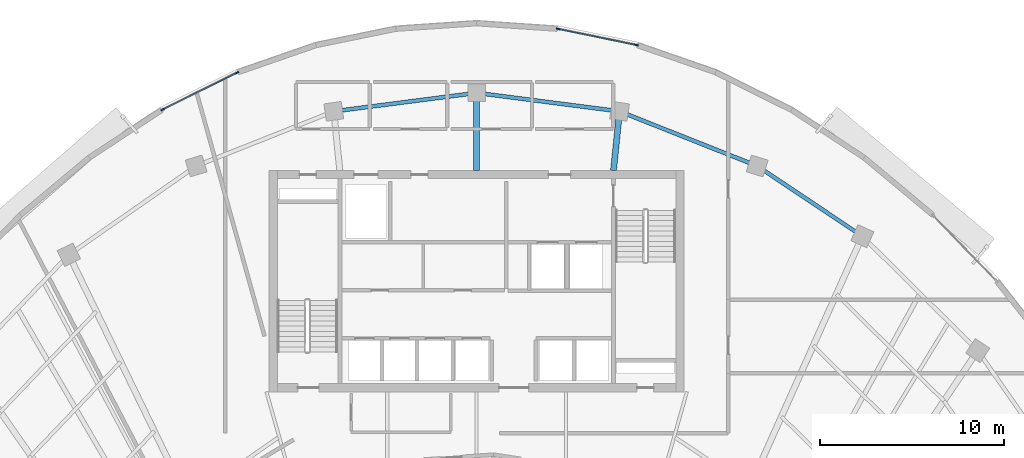
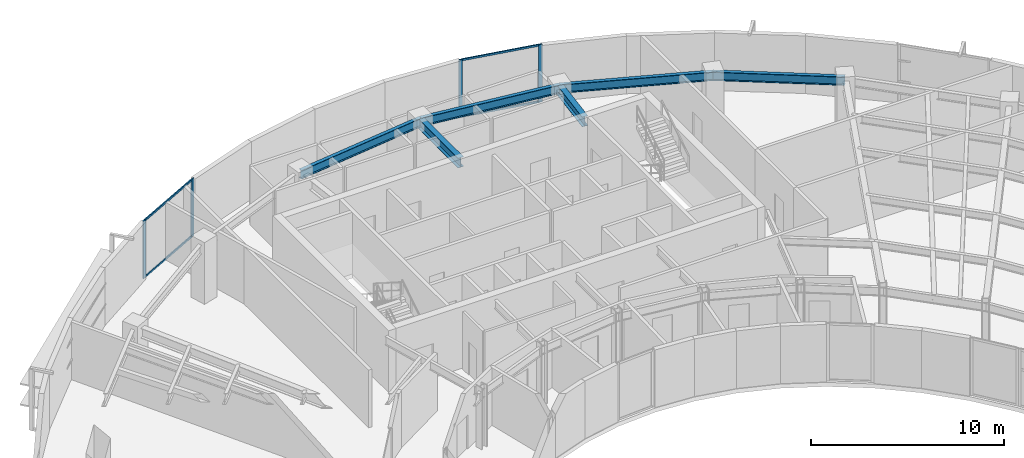
# One storey, part 5 of 14: 8 members, 6 beams, 2 elements without a shape of their own.
"""IFC4 building model written with IfcOpenShell, lengths in metres."""

from ifc_helpers import new_model, si_unit, direction, frame, origin, origin_2d, place, context, subcontext, project, spatial, rectangle, i_section, extrude, source, transform, mapped, material, layer, layer_set, material_profile, profile_set, type_object, element, aggregate, save


model = new_model("IFC4")

# Units and contexts
model_context = context("Model", 3, precision=1e-05, world=origin(), true_north=direction((0.0, 1.0)))
body_context = subcontext(model_context, "Body", "Model", "MODEL_VIEW")
ifc_project = project(units=[si_unit("LENGTHUNIT", "METRE"), si_unit("AREAUNIT", "SQUARE_METRE"), si_unit("VOLUMEUNIT", "CUBIC_METRE"), si_unit("PLANEANGLEUNIT", "RADIAN"), si_unit("MASSUNIT", "GRAM", prefix="KILO")], contexts=[model_context])

# Site, building, storey
site_placement = place(None, origin())
site = spatial("IfcSite", under=ifc_project, at=site_placement, CompositionType="ELEMENT")
building_placement = place(site_placement, origin())
building = spatial("IfcBuilding", under=site, at=building_placement, Name="Breltana Convention Tower", CompositionType="ELEMENT")
storey_placement = place(building_placement, frame((0.0, 0.0, 219.60009765625)))
storey = spatial("IfcBuildingStorey", under=building, at=storey_placement, Name="L53", CompositionType="ELEMENT", Elevation=219.60009765625)

# Beams
ifc_material_1 = material(Name="Steel ASTM A992 Grade 50", Category="steel")
ifc_material_profile_1 = material_profile(ifc_material_1, i_section(OverallWidth=0.326904296875, OverallDepth=0.6220703125, WebThickness=0.015380859375, FlangeThickness=0.0244140625, at=origin_2d()), Name="W24X131")
ifc_profile_set_1 = profile_set([ifc_material_profile_1], Name="Steel ASTM A992 Grade 50")
beam_type_1 = type_object("IfcBeamType", Name="BM-RG-W24X131", PredefinedType="USERDEFINED", material=ifc_profile_set_1)
shared_shape_1 = source(origin(), body_context, "Body", "SweptSolid", [
    extrude(i_section(OverallWidth=0.326904296875, OverallDepth=0.6220703125, WebThickness=0.015380859375, FlangeThickness=0.0244140625, at=origin_2d()), origin(), (0.0, 0.0, 1.0), 3.220947265625),
])
beam_1_placement = place(storey_placement, frame((55.419921875, 72.199951171875, 3.328857421875), z_axis=(0.101492254858, 0.994836329355, 0.0), x_axis=(-0.994836329355, 0.101492254858, 0.0)))
element("IfcBeam", 1, at=beam_1_placement, inside=storey, type_object=beam_type_1, Name="L53 North Core Radial Girder R07", ObjectType="GIRDER", PredefinedType="USERDEFINED", context=body_context, shape_type="MappedRepresentation", body=[
    mapped(shared_shape_1, transform((0.0, 0.0, 0.0), scale=1.0)),
])
shared_shape_2 = source(origin(), body_context, "Body", "SweptSolid", [
    extrude(i_section(OverallWidth=0.326904296875, OverallDepth=0.6220703125, WebThickness=0.015380859375, FlangeThickness=0.0244140625, at=origin_2d()), origin(), (0.0, 0.0, 1.0), 4.2041015625),
])
beam_2_placement = place(storey_placement, frame((48.0, 72.199951171875, 3.328857421875), z_axis=(0.0, 1.0, 0.0), x_axis=(-1.0, 0.0, 0.0)))
element("IfcBeam", 2, at=beam_2_placement, inside=storey, type_object=beam_type_1, Name="L53 North Core Radial Girder R06", ObjectType="GIRDER", PredefinedType="USERDEFINED", context=body_context, shape_type="MappedRepresentation", body=[
    mapped(shared_shape_2, transform((0.0, 0.0, 0.0), scale=1.0)),
])
ifc_material_profile_2 = material_profile(ifc_material_1, i_section(OverallWidth=0.214111328125, OverallDepth=0.549072265625, WebThickness=0.0146484375, FlangeThickness=0.023681640625, at=origin_2d()), Name="W21X93")
ifc_profile_set_2 = profile_set([ifc_material_profile_2], Name="Steel ASTM A992 Grade 50")
beam_type_2 = type_object("IfcBeamType", Name="BM-SP-W21X93", PredefinedType="SPANDREL", material=ifc_profile_set_2)
shared_shape_3 = source(origin(), body_context, "Body", "SweptSolid", [
    extrude(i_section(OverallWidth=0.214111328125, OverallDepth=0.549072265625, WebThickness=0.0146484375, FlangeThickness=0.023681640625, at=origin_2d()), origin(), (0.0, 0.0, 1.0), 8.028564453125),
])
beam_3_placement = place(storey_placement, frame((55.746826171875, 75.404296875, 3.365478515625), z_axis=(0.929459100394, -0.368925169507, 0.0), x_axis=(0.368925169507, 0.929459100394, 0.0)))
element("IfcBeam", 3, at=beam_3_placement, inside=storey, type_object=beam_type_2, Name="L53 Outer Spandrel Beam 07", PredefinedType="SPANDREL", context=body_context, shape_type="MappedRepresentation", body=[
    mapped(shared_shape_3, transform((0.0, 0.0, 0.0), scale=1.0)),
])
shared_shape_4 = source(origin(), body_context, "Body", "SweptSolid", [
    extrude(i_section(OverallWidth=0.214111328125, OverallDepth=0.549072265625, WebThickness=0.0146484375, FlangeThickness=0.023681640625, at=origin_2d()), origin(), (0.0, 0.0, 1.0), 7.81103515625),
])
for number, where, z_axis, x_axis, name in (
    (4, (40.253173828125, 75.404296875, 3.365478515625), (0.991775179127, 0.127992164083, 0.0), (-0.127992164083, 0.991775179127, 0.0), "L53 Outer Spandrel Beam 05"),
    (5, (48.0, 76.404052734375, 3.365478515625), (0.991775179127, -0.127992164083, 0.0), (0.127992164083, 0.991775179127, 0.0), "L53 Outer Spandrel Beam 06"),
):
    element("IfcBeam", number, at=place(storey_placement, frame(where, z_axis=z_axis, x_axis=x_axis)), inside=storey, type_object=beam_type_2, Name=name, PredefinedType="SPANDREL", context=body_context, shape_type="MappedRepresentation", body=[
        mapped(shared_shape_4, transform((0.0, 0.0, 0.0), scale=1.0)),
    ])
shared_shape_5 = source(origin(), body_context, "Body", "SweptSolid", [
    extrude(i_section(OverallWidth=0.214111328125, OverallDepth=0.549072265625, WebThickness=0.0146484375, FlangeThickness=0.023681640625, at=origin_2d()), origin(), (0.0, 0.0, 1.0), 6.856689453125),
])
beam_4_placement = place(storey_placement, frame((63.208984375, 72.4423828125, 3.365478515625), z_axis=(0.83150210718, -0.55552159792, 0.0), x_axis=(0.55552159792, 0.83150210718, 0.0)))
element("IfcBeam", 6, at=beam_4_placement, inside=storey, type_object=beam_type_2, Name="L53 Outer Spandrel Beam 08", PredefinedType="SPANDREL", context=body_context, shape_type="MappedRepresentation", body=[
    mapped(shared_shape_5, transform((0.0, 0.0, 0.0), scale=1.0)),
])

# Curtain wall, members
ifc_material_2 = material(Name="Aluminium Anodised Bronze Frame", Category="aluminium")
ifc_layer = layer(ifc_material_2, 0.219970703125, Name="Aluminium Anodised Bronze Frame")
ifc_layer_set = layer_set([ifc_layer], Name="Aluminium Anodised Bronze Frame")
curtain_wall_type = type_object("IfcCurtainWallType", Name="CW-SYS-4", PredefinedType="NOTDEFINED", material=ifc_layer_set)
curtain_wall_1_placement = place(storey_placement, origin())
curtain_wall_1 = element("IfcCurtainWall", 7, at=curtain_wall_1_placement, inside=storey, type_object=curtain_wall_type, Name="L53 outer double-skin inner glazing 2", PredefinedType="NOTDEFINED")
ifc_material_3 = material(Name="Aluminium Anodised Bronze", Category="aluminium")
ifc_material_profile_3 = material_profile(ifc_material_3, rectangle(XDim=0.080078125, YDim=0.199951171875, at=origin_2d()), Name="CWM-80X200")
ifc_profile_set_3 = profile_set([ifc_material_profile_3], Name="Aluminium Anodised Bronze")
member_type_1 = type_object("IfcMemberType", Name="CWM-200", PredefinedType="MULLION", material=ifc_profile_set_3)
shared_shape_6 = source(origin(), body_context, "Body", "SweptSolid", [
    extrude(rectangle(XDim=0.080078125, YDim=0.199951171875, at=origin_2d()), origin(), (0.0, 0.0, 1.0), 3.639892578125),
])
member_1_placement = place(storey_placement, frame((30.96923828125, 75.499267578125, 0.0), z_axis=(0.0, 0.0, 1.0), x_axis=(-0.444108875003, 0.895972827235, 0.0)))
member_1 = element("IfcMember", 8, at=member_1_placement, type_object=member_type_1, Name="CW-04 mullion 1", PredefinedType="MULLION", context=body_context, shape_type="MappedRepresentation", body=[
    mapped(shared_shape_6, transform((0.0, 0.0, 0.0), scale=1.0)),
])
member_2_placement = place(storey_placement, frame((35.0107421875, 77.50244140625, 0.0), z_axis=(0.0, 0.0, 1.0), x_axis=(-0.444108875003, 0.895972827235, 0.0)))
member_2 = element("IfcMember", 9, at=member_2_placement, type_object=member_type_1, Name="CW-04 mullion 2", PredefinedType="MULLION", context=body_context, shape_type="MappedRepresentation", body=[
    mapped(shared_shape_6, transform((0.0, 0.0, 0.0), scale=1.0)),
])

curtain_wall_2_placement = place(storey_placement, origin())
curtain_wall_2 = element("IfcCurtainWall", 10, at=curtain_wall_2_placement, inside=storey, type_object=curtain_wall_type, Name="L53 outer double-skin inner glazing 3", PredefinedType="NOTDEFINED")
member_3_placement = place(storey_placement, frame((52.415771484375, 79.87158203125, 0.0), z_axis=(0.0, 0.0, 1.0), x_axis=(0.200879604523, 0.979615937236, 0.0)))
member_3 = element("IfcMember", 11, at=member_3_placement, type_object=member_type_1, Name="CW-04 mullion 1", PredefinedType="MULLION", context=body_context, shape_type="MappedRepresentation", body=[
    mapped(shared_shape_6, transform((0.0, 0.0, 0.0), scale=1.0)),
])
member_4_placement = place(storey_placement, frame((56.669921875, 78.9990234375, 0.0), z_axis=(0.0, 0.0, 1.0), x_axis=(0.200879604523, 0.979615937236, 0.0)))
member_4 = element("IfcMember", 12, at=member_4_placement, type_object=member_type_1, Name="CW-04 mullion 2", PredefinedType="MULLION", context=body_context, shape_type="MappedRepresentation", body=[
    mapped(shared_shape_6, transform((0.0, 0.0, 0.0), scale=1.0)),
])
ifc_material_profile_4 = material_profile(ifc_material_3, rectangle(XDim=0.070068359375, YDim=0.1201171875, at=origin_2d()), Name="CWT-70X120")
ifc_profile_set_4 = profile_set([ifc_material_profile_4], Name="Aluminium Anodised Bronze")
member_type_2 = type_object("IfcMemberType", Name="CWT-120", PredefinedType="USERDEFINED", material=ifc_profile_set_4)
shared_shape_7 = source(origin(), body_context, "Body", "SweptSolid", [
    extrude(rectangle(XDim=0.070068359375, YDim=0.1201171875, at=origin_2d()), origin(), (0.0, 0.0, 1.0), 4.262451171875),
])
member_5_placement = place(storey_placement, frame((52.455078125, 79.863525390625, 0.034912109375), z_axis=(0.97960616963, -0.200927231659, 0.0), x_axis=(0.200927231659, 0.97960616963, 0.0)))
member_5 = element("IfcMember", 13, at=member_5_placement, type_object=member_type_2, Name="CW-04 transom 1.1", ObjectType="TRANSOM", PredefinedType="USERDEFINED", context=body_context, shape_type="MappedRepresentation", body=[
    mapped(shared_shape_7, transform((0.0, 0.0, 0.0), scale=1.0)),
])
member_6_placement = place(storey_placement, frame((52.455078125, 79.863525390625, 3.60498046875), z_axis=(0.97960616963, -0.200927231659, 0.0), x_axis=(0.200927231659, 0.97960616963, 0.0)))
member_6 = element("IfcMember", 14, at=member_6_placement, type_object=member_type_2, Name="CW-04 transom 1.2", ObjectType="TRANSOM", PredefinedType="USERDEFINED", context=body_context, shape_type="MappedRepresentation", body=[
    mapped(shared_shape_7, transform((0.0, 0.0, 0.0), scale=1.0)),
])
aggregate(curtain_wall_2, [member_3, member_4, member_5, member_6])

# Member
shared_shape_8 = source(origin(), body_context, "Body", "SweptSolid", [
    extrude(rectangle(XDim=0.070068359375, YDim=0.1201171875, at=origin_2d()), origin(), (0.0, 0.0, 1.0), 4.4306640625),
])
member_7_placement = place(storey_placement, frame((31.005126953125, 75.51708984375, 0.034912109375), z_axis=(0.895964734866, 0.444125200678, 0.0), x_axis=(-0.444125200678, 0.895964734866, 0.0)))
member_7 = element("IfcMember", 15, at=member_7_placement, type_object=member_type_2, Name="CW-04 transom 1.1", ObjectType="TRANSOM", PredefinedType="USERDEFINED", context=body_context, shape_type="MappedRepresentation", body=[
    mapped(shared_shape_8, transform((0.0, 0.0, 0.0), scale=1.0)),
])

member_8_placement = place(storey_placement, frame((31.005126953125, 75.51708984375, 3.60498046875), z_axis=(0.895964734866, 0.444125200678, 0.0), x_axis=(-0.444125200678, 0.895964734866, 0.0)))
member_8 = element("IfcMember", 16, at=member_8_placement, type_object=member_type_2, Name="CW-04 transom 1.2", ObjectType="TRANSOM", PredefinedType="USERDEFINED", context=body_context, shape_type="MappedRepresentation", body=[
    mapped(shared_shape_8, transform((0.0, 0.0, 0.0), scale=1.0)),
])

aggregate(curtain_wall_1, [member_1, member_2, member_7, member_8])

save(model, "model.ifc")
